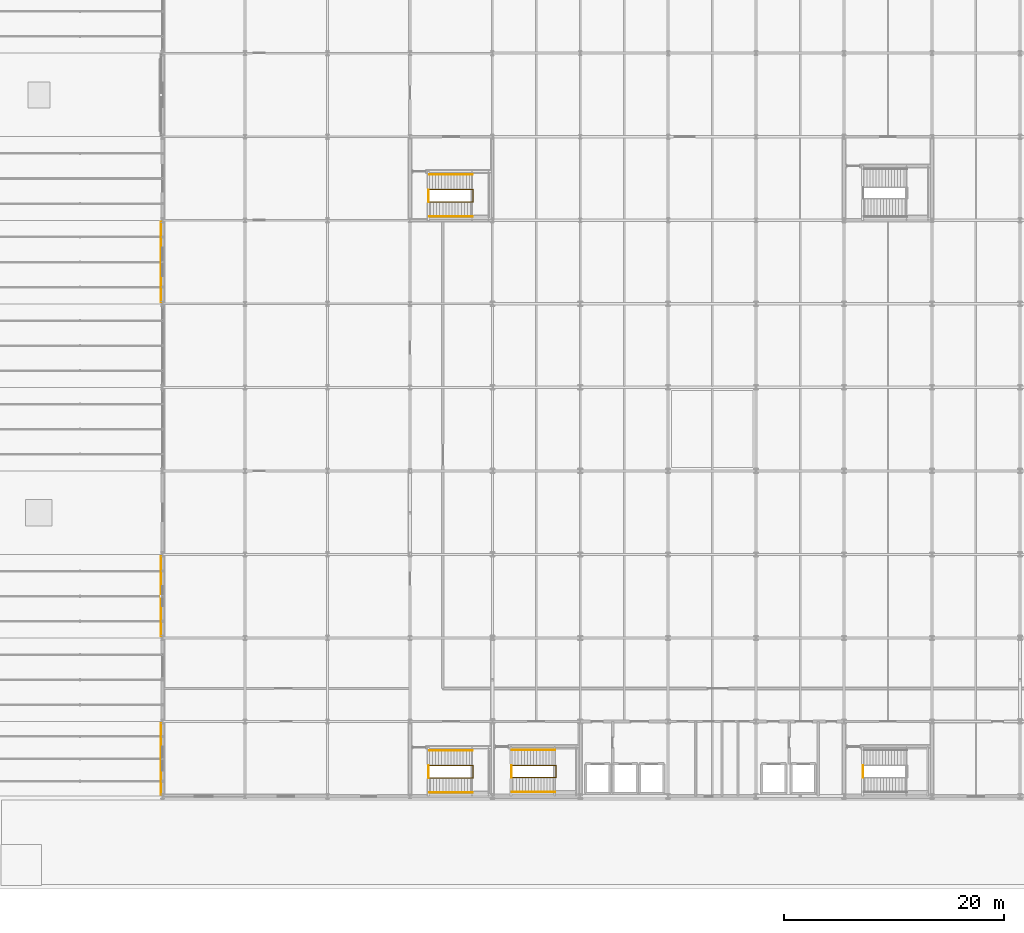
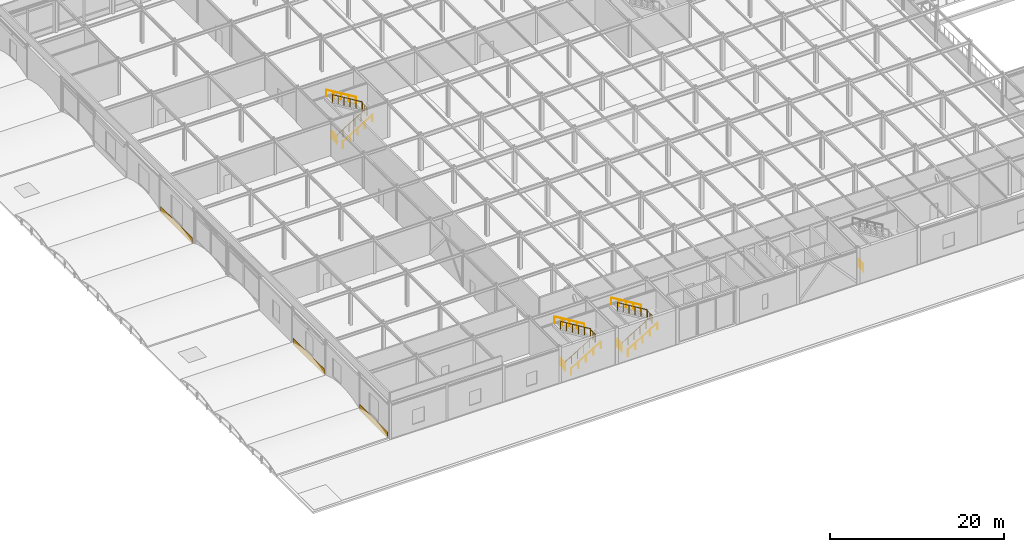
# One storey, part 108 of 113: 13 railings, 3 coverings.
"""IFC4 building model written with IfcOpenShell, lengths in metres."""

from ifc_helpers import new_model, si_unit, direction, frame, origin, origin_2d, place, context, subcontext, project, spatial, rectangle, circle, extrude, material, layer, layer_set, type_object, element, save


model = new_model("IFC4")

# Units and contexts
model_context = context("Model", 3, precision=1e-05, world=origin(), true_north=direction((0.0, 1.0)))
body_context = subcontext(model_context, "Body", "Model", "MODEL_VIEW")
ifc_project = project(units=[si_unit("LENGTHUNIT", "METRE"), si_unit("AREAUNIT", "SQUARE_METRE"), si_unit("VOLUMEUNIT", "CUBIC_METRE"), si_unit("PLANEANGLEUNIT", "RADIAN"), si_unit("MASSUNIT", "GRAM", prefix="KILO")], contexts=[model_context])

# Site, building, storey
site_placement = place(None, origin())
site = spatial("IfcSite", under=ifc_project, at=site_placement, CompositionType="ELEMENT")
building_placement = place(site_placement, origin())
building = spatial("IfcBuilding", under=site, at=building_placement, Name="Shalkamar Park Central Library", CompositionType="ELEMENT")
storey_placement = place(building_placement, frame((0.0, 0.0, 5.39990234375)))
storey = spatial("IfcBuildingStorey", under=building, at=storey_placement, Name="L02", CompositionType="ELEMENT", Elevation=5.39990234375)

# Coverings
ifc_material_1 = material(Name="Granite and travertine stone cladding", Category="masonry")
ifc_layer = layer(ifc_material_1, 0.0400390625)
ifc_layer_set = layer_set([ifc_layer], Name="GraniteTravertineCladdingPanel")
covering_type = type_object("IfcCoveringType", Name="Granite Travertine Cladding Panel", PredefinedType="CLADDING", material=ifc_layer_set)
covering_placement = place(storey_placement, frame((134.839111328125, 251.800048828125, 0.0), z_axis=(0.0, 0.0, 1.0), x_axis=(1.0, 0.0, 0.0)))
element("IfcCovering", 1, at=covering_placement, inside=storey, type_object=covering_type, Name="Granite and Travertine Cladding Panel L02-010", PredefinedType="CLADDING", context=body_context, shape_type="SweptSolid", body=[
    extrude(rectangle(XDim=0.0400390625, YDim=6.488037109375, at=origin_2d()), origin(), (0.0, 0.0, 1.0), 0.85009765625),
])
for number, where, z_axis, x_axis, name in (
    (2, (134.839111328125, 266.60009765625, 0.0), (0.0, 0.0, 1.0), (1.0, 0.0, 0.0), "Granite and Travertine Cladding Panel L02-011"),
    (3, (134.839111328125, 297.0, 0.0), (0.0, 0.0, 1.0), (1.0, 0.0, 0.0), "Granite and Travertine Cladding Panel L02-012"),
):
    element("IfcCovering", number, at=place(storey_placement, frame(where, z_axis=z_axis, x_axis=x_axis)), inside=storey, type_object=covering_type, Name=name, PredefinedType="CLADDING", context=body_context, shape_type="SweptSolid", body=[
        extrude(rectangle(XDim=0.0400390625, YDim=7.2880859375, at=origin_2d()), origin(), (0.0, 0.0, 1.0), 0.85009765625),
    ])

# Railings
ifc_material_2 = material(Name="Steel S355", Category="steel")
railing_type_1 = type_object("IfcRailingType", Name="Stair Guardrail 1100", PredefinedType="GUARDRAIL", material=ifc_material_2)
railing_1_placement = place(storey_placement, frame((166.800048828125, 250.090087890625, 0.170166015625)))
element("IfcRailing", 4, at=railing_1_placement, inside=storey, type_object=railing_type_1, Name="Stair Inner Well Guardrail ST-T1-L02", PredefinedType="GUARDRAIL", context=body_context, shape_type="SweptSolid", body=[
    extrude(circle(Radius=0.02392578125, at=origin_2d()), frame((0.0, 0.0, 1.076171875), z_axis=(0.854794262968, 0.0, 0.518967020143), x_axis=(0.0, 1.0, 0.0)), (0.0, 0.0, 1.0), 4.585693359375),
    extrude(circle(Radius=0.02392578125, at=origin_2d()), frame((3.919921875, 0.0, 3.4560546875), z_axis=(1.0, 0.0, 0.0), x_axis=(0.0, 1.0, 0.0)), (0.0, 0.0, 1.0), 0.06005859375),
    extrude(circle(Radius=0.02392578125, at=origin_2d()), frame((3.97998046875, 0.0, 3.4560546875), z_axis=(0.0, 1.0, 0.0), x_axis=(-1.0, 0.0, 0.0)), (0.0, 0.0, 1.0), 1.119873046875),
    extrude(circle(Radius=0.02392578125, at=origin_2d()), frame((3.97998046875, 1.119873046875, 3.4560546875), z_axis=(-0.332820117735, 0.0, 0.942990333583), x_axis=(0.0, -1.0, 0.0)), (0.0, 0.0, 1.0), 0.180419921875),
    extrude(circle(Radius=0.02392578125, at=origin_2d()), frame((3.919921875, 1.119873046875, 3.6259765625), z_axis=(-0.854794262968, 0.0, 0.518967020143), x_axis=(0.0, -1.0, 0.0)), (0.0, 0.0, 1.0), 4.585693359375),
    extrude(circle(Radius=0.02099609375, at=origin_2d()), origin(), (0.0, 0.0, 1.0), 1.052001953125),
    extrude(circle(Radius=0.02099609375, at=origin_2d()), frame((0.783935546875, 0.0, 0.47607421875)), (0.0, 0.0, 1.0), 1.052001953125),
    extrude(circle(Radius=0.02099609375, at=origin_2d()), frame((1.56787109375, 0.0, 0.951904296875)), (0.0, 0.0, 1.0), 1.052001953125),
    extrude(circle(Radius=0.02099609375, at=origin_2d()), frame((2.35205078125, 0.0, 1.427978515625)), (0.0, 0.0, 1.0), 1.052001953125),
    extrude(circle(Radius=0.02099609375, at=origin_2d()), frame((3.135986328125, 0.0, 1.90380859375)), (0.0, 0.0, 1.0), 1.052001953125),
    extrude(circle(Radius=0.02099609375, at=origin_2d()), frame((3.919921875, 0.0, 2.3798828125)), (0.0, 0.0, 1.0), 1.052001953125),
    extrude(circle(Radius=0.02099609375, at=origin_2d()), frame((3.97998046875, 0.0, 2.3798828125)), (0.0, 0.0, 1.0), 1.052001953125),
    extrude(circle(Radius=0.02099609375, at=origin_2d()), frame((3.97998046875, 0.56005859375, 2.3798828125)), (0.0, 0.0, 1.0), 1.052001953125),
    extrude(circle(Radius=0.02099609375, at=origin_2d()), frame((3.97998046875, 1.119873046875, 2.3798828125)), (0.0, 0.0, 1.0), 1.052001953125),
    extrude(circle(Radius=0.02099609375, at=origin_2d()), frame((3.919921875, 1.119873046875, 2.550048828125)), (0.0, 0.0, 1.0), 1.052001953125),
    extrude(circle(Radius=0.02099609375, at=origin_2d()), frame((3.135986328125, 1.119873046875, 3.026123046875)), (0.0, 0.0, 1.0), 1.052001953125),
    extrude(circle(Radius=0.02099609375, at=origin_2d()), frame((2.35205078125, 1.119873046875, 3.501953125)), (0.0, 0.0, 1.0), 1.052001953125),
    extrude(circle(Radius=0.02099609375, at=origin_2d()), frame((1.56787109375, 1.119873046875, 3.97802734375)), (0.0, 0.0, 1.0), 1.052001953125),
    extrude(circle(Radius=0.02099609375, at=origin_2d()), frame((0.783935546875, 1.119873046875, 4.453857421875)), (0.0, 0.0, 1.0), 1.052001953125),
    extrude(circle(Radius=0.02099609375, at=origin_2d()), frame((0.0, 1.119873046875, 4.929931640625)), (0.0, 0.0, 1.0), 1.052001953125),
])
for number, where, name in (
    (5, (166.739990234375, 250.10009765625, 0.0), "Stair Arrival Well Guardrail ST-T1 (L02)"),
    (6, (198.739990234375, 250.10009765625, 0.0), "Stair Arrival Well Guardrail ST-T2 (L02)"),
):
    element("IfcRailing", number, at=place(storey_placement, frame(where)), inside=storey, type_object=railing_type_1, Name=name, PredefinedType="GUARDRAIL", context=body_context, shape_type="SweptSolid", body=[
        extrude(circle(Radius=0.02392578125, at=origin_2d()), frame((0.0, 0.0, 1.076171875), z_axis=(0.0, 1.0, 0.0), x_axis=(-1.0, 0.0, 0.0)), (0.0, 0.0, 1.0), 1.099853515625),
        extrude(circle(Radius=0.02099609375, at=origin_2d()), origin(), (0.0, 0.0, 1.0), 1.052001953125),
        extrude(circle(Radius=0.02099609375, at=origin_2d()), frame((0.0, 0.5498046875, 0.0)), (0.0, 0.0, 1.0), 1.052001953125),
        extrude(circle(Radius=0.02099609375, at=origin_2d()), frame((0.0, 1.099853515625, 0.0)), (0.0, 0.0, 1.0), 1.052001953125),
    ])
railing_2_placement = place(storey_placement, frame((159.27490234375, 250.06494140625, 0.170166015625)))
element("IfcRailing", 7, at=railing_2_placement, inside=storey, type_object=railing_type_1, Name="Stair Inner Well Guardrail ST-P1-L02", PredefinedType="GUARDRAIL", context=body_context, shape_type="SweptSolid", body=[
    extrude(circle(Radius=0.02392578125, at=origin_2d()), frame((0.0, 0.0, 1.076171875), z_axis=(0.854808600491, 0.0, 0.518943403973), x_axis=(0.0, 1.0, 0.0)), (0.0, 0.0, 1.0), 4.5859375),
    extrude(circle(Radius=0.02392578125, at=origin_2d()), frame((3.920166015625, 0.0, 3.4560546875), z_axis=(1.0, 0.0, 0.0), x_axis=(0.0, 1.0, 0.0)), (0.0, 0.0, 1.0), 0.059814453125),
    extrude(circle(Radius=0.02392578125, at=origin_2d()), frame((3.97998046875, 0.0, 3.4560546875), z_axis=(0.0, 1.0, 0.0), x_axis=(-1.0, 0.0, 0.0)), (0.0, 0.0, 1.0), 1.1201171875),
    extrude(circle(Radius=0.02392578125, at=origin_2d()), frame((3.97998046875, 1.1201171875, 3.4560546875), z_axis=(-0.331616241061, 0.0, 0.943414367425), x_axis=(0.0, -1.0, 0.0)), (0.0, 0.0, 1.0), 0.180419921875),
    extrude(circle(Radius=0.02392578125, at=origin_2d()), frame((3.920166015625, 1.1201171875, 3.6259765625), z_axis=(-0.854808600491, 0.0, 0.518943403973), x_axis=(0.0, -1.0, 0.0)), (0.0, 0.0, 1.0), 4.5859375),
    extrude(circle(Radius=0.02099609375, at=origin_2d()), origin(), (0.0, 0.0, 1.0), 1.052001953125),
    extrude(circle(Radius=0.02099609375, at=origin_2d()), frame((0.783935546875, 0.0, 0.47607421875)), (0.0, 0.0, 1.0), 1.052001953125),
    extrude(circle(Radius=0.02099609375, at=origin_2d()), frame((1.568115234375, 0.0, 0.951904296875)), (0.0, 0.0, 1.0), 1.052001953125),
    extrude(circle(Radius=0.02099609375, at=origin_2d()), frame((2.35205078125, 0.0, 1.427978515625)), (0.0, 0.0, 1.0), 1.052001953125),
    extrude(circle(Radius=0.02099609375, at=origin_2d()), frame((3.13623046875, 0.0, 1.90380859375)), (0.0, 0.0, 1.0), 1.052001953125),
    extrude(circle(Radius=0.02099609375, at=origin_2d()), frame((3.920166015625, 0.0, 2.3798828125)), (0.0, 0.0, 1.0), 1.052001953125),
    extrude(circle(Radius=0.02099609375, at=origin_2d()), frame((3.97998046875, 0.0, 2.3798828125)), (0.0, 0.0, 1.0), 1.052001953125),
    extrude(circle(Radius=0.02099609375, at=origin_2d()), frame((3.97998046875, 0.56005859375, 2.3798828125)), (0.0, 0.0, 1.0), 1.052001953125),
    extrude(circle(Radius=0.02099609375, at=origin_2d()), frame((3.97998046875, 1.1201171875, 2.3798828125)), (0.0, 0.0, 1.0), 1.052001953125),
    extrude(circle(Radius=0.02099609375, at=origin_2d()), frame((3.920166015625, 1.1201171875, 2.550048828125)), (0.0, 0.0, 1.0), 1.052001953125),
    extrude(circle(Radius=0.02099609375, at=origin_2d()), frame((3.13623046875, 1.1201171875, 3.026123046875)), (0.0, 0.0, 1.0), 1.052001953125),
    extrude(circle(Radius=0.02099609375, at=origin_2d()), frame((2.35205078125, 1.1201171875, 3.501953125)), (0.0, 0.0, 1.0), 1.052001953125),
    extrude(circle(Radius=0.02099609375, at=origin_2d()), frame((1.568115234375, 1.1201171875, 3.97802734375)), (0.0, 0.0, 1.0), 1.052001953125),
    extrude(circle(Radius=0.02099609375, at=origin_2d()), frame((0.783935546875, 1.1201171875, 4.453857421875)), (0.0, 0.0, 1.0), 1.052001953125),
    extrude(circle(Radius=0.02099609375, at=origin_2d()), frame((0.0, 1.1201171875, 4.929931640625)), (0.0, 0.0, 1.0), 1.052001953125),
])
railing_3_placement = place(storey_placement, frame((159.215087890625, 250.074951171875, 0.0)))
element("IfcRailing", 8, at=railing_3_placement, inside=storey, type_object=railing_type_1, Name="Stair Arrival Well Guardrail ST-P1 (L02)", PredefinedType="GUARDRAIL", context=body_context, shape_type="SweptSolid", body=[
    extrude(circle(Radius=0.02392578125, at=origin_2d()), frame((0.0, 0.0, 1.076171875), z_axis=(0.0, 1.0, 0.0), x_axis=(-1.0, 0.0, 0.0)), (0.0, 0.0, 1.0), 1.10009765625),
    extrude(circle(Radius=0.02099609375, at=origin_2d()), origin(), (0.0, 0.0, 1.0), 1.052001953125),
    extrude(circle(Radius=0.02099609375, at=origin_2d()), frame((0.0, 0.550048828125, 0.0)), (0.0, 0.0, 1.0), 1.052001953125),
    extrude(circle(Radius=0.02099609375, at=origin_2d()), frame((0.0, 1.10009765625, 0.0)), (0.0, 0.0, 1.0), 1.052001953125),
])
railing_4_placement = place(storey_placement, frame((159.27490234375, 302.465087890625, 0.170166015625)))
element("IfcRailing", 9, at=railing_4_placement, inside=storey, type_object=railing_type_1, Name="Stair Inner Well Guardrail ST-P2-L02", PredefinedType="GUARDRAIL", context=body_context, shape_type="SweptSolid", body=[
    extrude(circle(Radius=0.02392578125, at=origin_2d()), frame((0.0, 0.0, 1.076171875), z_axis=(0.854808600491, 0.0, 0.518943403973), x_axis=(0.0, 1.0, 0.0)), (0.0, 0.0, 1.0), 4.5859375),
    extrude(circle(Radius=0.02392578125, at=origin_2d()), frame((3.920166015625, 0.0, 3.4560546875), z_axis=(1.0, 0.0, 0.0), x_axis=(0.0, 1.0, 0.0)), (0.0, 0.0, 1.0), 0.059814453125),
    extrude(circle(Radius=0.02392578125, at=origin_2d()), frame((3.97998046875, 0.0, 3.4560546875), z_axis=(0.0, 1.0, 0.0), x_axis=(-1.0, 0.0, 0.0)), (0.0, 0.0, 1.0), 1.119873046875),
    extrude(circle(Radius=0.02392578125, at=origin_2d()), frame((3.97998046875, 1.119873046875, 3.4560546875), z_axis=(-0.331616241061, 0.0, 0.943414367425), x_axis=(0.0, -1.0, 0.0)), (0.0, 0.0, 1.0), 0.180419921875),
    extrude(circle(Radius=0.02392578125, at=origin_2d()), frame((3.920166015625, 1.119873046875, 3.6259765625), z_axis=(-0.854808600491, 0.0, 0.518943403973), x_axis=(0.0, -1.0, 0.0)), (0.0, 0.0, 1.0), 4.5859375),
    extrude(circle(Radius=0.02099609375, at=origin_2d()), origin(), (0.0, 0.0, 1.0), 1.052001953125),
    extrude(circle(Radius=0.02099609375, at=origin_2d()), frame((0.783935546875, 0.0, 0.47607421875)), (0.0, 0.0, 1.0), 1.052001953125),
    extrude(circle(Radius=0.02099609375, at=origin_2d()), frame((1.568115234375, 0.0, 0.951904296875)), (0.0, 0.0, 1.0), 1.052001953125),
    extrude(circle(Radius=0.02099609375, at=origin_2d()), frame((2.35205078125, 0.0, 1.427978515625)), (0.0, 0.0, 1.0), 1.052001953125),
    extrude(circle(Radius=0.02099609375, at=origin_2d()), frame((3.13623046875, 0.0, 1.90380859375)), (0.0, 0.0, 1.0), 1.052001953125),
    extrude(circle(Radius=0.02099609375, at=origin_2d()), frame((3.920166015625, 0.0, 2.3798828125)), (0.0, 0.0, 1.0), 1.052001953125),
    extrude(circle(Radius=0.02099609375, at=origin_2d()), frame((3.97998046875, 0.0, 2.3798828125)), (0.0, 0.0, 1.0), 1.052001953125),
    extrude(circle(Radius=0.02099609375, at=origin_2d()), frame((3.97998046875, 0.56005859375, 2.3798828125)), (0.0, 0.0, 1.0), 1.052001953125),
    extrude(circle(Radius=0.02099609375, at=origin_2d()), frame((3.97998046875, 1.119873046875, 2.3798828125)), (0.0, 0.0, 1.0), 1.052001953125),
    extrude(circle(Radius=0.02099609375, at=origin_2d()), frame((3.920166015625, 1.119873046875, 2.550048828125)), (0.0, 0.0, 1.0), 1.052001953125),
    extrude(circle(Radius=0.02099609375, at=origin_2d()), frame((3.13623046875, 1.119873046875, 3.026123046875)), (0.0, 0.0, 1.0), 1.052001953125),
    extrude(circle(Radius=0.02099609375, at=origin_2d()), frame((2.35205078125, 1.119873046875, 3.501953125)), (0.0, 0.0, 1.0), 1.052001953125),
    extrude(circle(Radius=0.02099609375, at=origin_2d()), frame((1.568115234375, 1.119873046875, 3.97802734375)), (0.0, 0.0, 1.0), 1.052001953125),
    extrude(circle(Radius=0.02099609375, at=origin_2d()), frame((0.783935546875, 1.119873046875, 4.453857421875)), (0.0, 0.0, 1.0), 1.052001953125),
    extrude(circle(Radius=0.02099609375, at=origin_2d()), frame((0.0, 1.119873046875, 4.929931640625)), (0.0, 0.0, 1.0), 1.052001953125),
])
railing_5_placement = place(storey_placement, frame((159.215087890625, 302.47509765625, 0.0)))
element("IfcRailing", 10, at=railing_5_placement, inside=storey, type_object=railing_type_1, Name="Stair Arrival Well Guardrail ST-P2 (L02)", PredefinedType="GUARDRAIL", context=body_context, shape_type="SweptSolid", body=[
    extrude(circle(Radius=0.02392578125, at=origin_2d()), frame((0.0, 0.0, 1.076171875), z_axis=(0.0, 1.0, 0.0), x_axis=(-1.0, 0.0, 0.0)), (0.0, 0.0, 1.0), 1.099853515625),
    extrude(circle(Radius=0.02099609375, at=origin_2d()), origin(), (0.0, 0.0, 1.0), 1.052001953125),
    extrude(circle(Radius=0.02099609375, at=origin_2d()), frame((0.0, 0.5498046875, 0.0)), (0.0, 0.0, 1.0), 1.052001953125),
    extrude(circle(Radius=0.02099609375, at=origin_2d()), frame((0.0, 1.099853515625, 0.0)), (0.0, 0.0, 1.0), 1.052001953125),
])
railing_type_2 = type_object("IfcRailingType", Name="Stair Pitched Handrail 920", PredefinedType="HANDRAIL", material=ifc_material_2)
railing_6_placement = place(storey_placement, frame((166.800048828125, 248.780029296875, 0.170166015625)))
element("IfcRailing", 11, at=railing_6_placement, inside=storey, type_object=railing_type_2, Name="Stair Wall Handrail ST-T1-L02 Flight 1", PredefinedType="HANDRAIL", context=body_context, shape_type="SweptSolid", body=[
    extrude(circle(Radius=0.02392578125, at=origin_2d()), frame((0.0, 0.0, 0.89599609375), z_axis=(0.854794262968, 0.0, 0.518967020143), x_axis=(0.0, 1.0, 0.0)), (0.0, 0.0, 1.0), 4.585693359375),
    extrude(circle(Radius=0.02099609375, at=origin_2d()), origin(), (0.0, 0.0, 1.0), 0.871826171875),
    extrude(circle(Radius=0.02099609375, at=origin_2d()), frame((0.97998046875, 0.0, 0.594970703125)), (0.0, 0.0, 1.0), 0.871826171875),
    extrude(circle(Radius=0.02099609375, at=origin_2d()), frame((1.9599609375, 0.0, 1.18994140625)), (0.0, 0.0, 1.0), 0.871826171875),
    extrude(circle(Radius=0.02099609375, at=origin_2d()), frame((2.93994140625, 0.0, 1.784912109375)), (0.0, 0.0, 1.0), 0.871826171875),
    extrude(circle(Radius=0.02099609375, at=origin_2d()), frame((3.919921875, 0.0, 2.3798828125)), (0.0, 0.0, 1.0), 0.871826171875),
])
railing_7_placement = place(storey_placement, frame((170.719970703125, 252.60009765625, 2.72021484375)))
element("IfcRailing", 12, at=railing_7_placement, inside=storey, type_object=railing_type_2, Name="Stair Wall Handrail ST-T1-L02 Flight 2", PredefinedType="HANDRAIL", context=body_context, shape_type="SweptSolid", body=[
    extrude(circle(Radius=0.02392578125, at=origin_2d()), frame((0.0, 0.0, 0.89599609375), z_axis=(-0.854794262968, 0.0, 0.518967020143), x_axis=(0.0, -1.0, 0.0)), (0.0, 0.0, 1.0), 4.585693359375),
    extrude(circle(Radius=0.02099609375, at=origin_2d()), origin(), (0.0, 0.0, 1.0), 0.871826171875),
    extrude(circle(Radius=0.02099609375, at=origin_2d()), frame((-0.97998046875, 0.0, 0.594970703125)), (0.0, 0.0, 1.0), 0.871826171875),
    extrude(circle(Radius=0.02099609375, at=origin_2d()), frame((-1.9599609375, 0.0, 1.18994140625)), (0.0, 0.0, 1.0), 0.871826171875),
    extrude(circle(Radius=0.02099609375, at=origin_2d()), frame((-2.93994140625, 0.0, 1.784912109375)), (0.0, 0.0, 1.0), 0.871826171875),
    extrude(circle(Radius=0.02099609375, at=origin_2d()), frame((-3.919921875, 0.0, 2.3798828125)), (0.0, 0.0, 1.0), 0.871826171875),
])
railing_8_placement = place(storey_placement, frame((159.27490234375, 248.7548828125, 0.170166015625)))
element("IfcRailing", 13, at=railing_8_placement, inside=storey, type_object=railing_type_2, Name="Stair Wall Handrail ST-P1-L02 Flight 1", PredefinedType="HANDRAIL", context=body_context, shape_type="SweptSolid", body=[
    extrude(circle(Radius=0.02392578125, at=origin_2d()), frame((0.0, 0.0, 0.89599609375), z_axis=(0.854808600491, 0.0, 0.518943403973), x_axis=(0.0, 1.0, 0.0)), (0.0, 0.0, 1.0), 4.5859375),
    extrude(circle(Radius=0.02099609375, at=origin_2d()), origin(), (0.0, 0.0, 1.0), 0.871826171875),
    extrude(circle(Radius=0.02099609375, at=origin_2d()), frame((0.97998046875, 0.0, 0.594970703125)), (0.0, 0.0, 1.0), 0.871826171875),
    extrude(circle(Radius=0.02099609375, at=origin_2d()), frame((1.9599609375, 0.0, 1.18994140625)), (0.0, 0.0, 1.0), 0.871826171875),
    extrude(circle(Radius=0.02099609375, at=origin_2d()), frame((2.940185546875, 0.0, 1.784912109375)), (0.0, 0.0, 1.0), 0.871826171875),
    extrude(circle(Radius=0.02099609375, at=origin_2d()), frame((3.920166015625, 0.0, 2.3798828125)), (0.0, 0.0, 1.0), 0.871826171875),
])
railing_9_placement = place(storey_placement, frame((163.195068359375, 252.574951171875, 2.72021484375)))
element("IfcRailing", 14, at=railing_9_placement, inside=storey, type_object=railing_type_2, Name="Stair Wall Handrail ST-P1-L02 Flight 2", PredefinedType="HANDRAIL", context=body_context, shape_type="SweptSolid", body=[
    extrude(circle(Radius=0.02392578125, at=origin_2d()), frame((0.0, 0.0, 0.89599609375), z_axis=(-0.854808600491, 0.0, 0.518943403973), x_axis=(0.0, -1.0, 0.0)), (0.0, 0.0, 1.0), 4.5859375),
    extrude(circle(Radius=0.02099609375, at=origin_2d()), origin(), (0.0, 0.0, 1.0), 0.871826171875),
    extrude(circle(Radius=0.02099609375, at=origin_2d()), frame((-0.97998046875, 0.0, 0.594970703125)), (0.0, 0.0, 1.0), 0.871826171875),
    extrude(circle(Radius=0.02099609375, at=origin_2d()), frame((-1.9599609375, 0.0, 1.18994140625)), (0.0, 0.0, 1.0), 0.871826171875),
    extrude(circle(Radius=0.02099609375, at=origin_2d()), frame((-2.940185546875, 0.0, 1.784912109375)), (0.0, 0.0, 1.0), 0.871826171875),
    extrude(circle(Radius=0.02099609375, at=origin_2d()), frame((-3.920166015625, 0.0, 2.3798828125)), (0.0, 0.0, 1.0), 0.871826171875),
])
railing_10_placement = place(storey_placement, frame((159.27490234375, 301.155029296875, 0.170166015625)))
element("IfcRailing", 15, at=railing_10_placement, inside=storey, type_object=railing_type_2, Name="Stair Wall Handrail ST-P2-L02 Flight 1", PredefinedType="HANDRAIL", context=body_context, shape_type="SweptSolid", body=[
    extrude(circle(Radius=0.02392578125, at=origin_2d()), frame((0.0, 0.0, 0.89599609375), z_axis=(0.854808600491, 0.0, 0.518943403973), x_axis=(0.0, 1.0, 0.0)), (0.0, 0.0, 1.0), 4.5859375),
    extrude(circle(Radius=0.02099609375, at=origin_2d()), origin(), (0.0, 0.0, 1.0), 0.871826171875),
    extrude(circle(Radius=0.02099609375, at=origin_2d()), frame((0.97998046875, 0.0, 0.594970703125)), (0.0, 0.0, 1.0), 0.871826171875),
    extrude(circle(Radius=0.02099609375, at=origin_2d()), frame((1.9599609375, 0.0, 1.18994140625)), (0.0, 0.0, 1.0), 0.871826171875),
    extrude(circle(Radius=0.02099609375, at=origin_2d()), frame((2.940185546875, 0.0, 1.784912109375)), (0.0, 0.0, 1.0), 0.871826171875),
    extrude(circle(Radius=0.02099609375, at=origin_2d()), frame((3.920166015625, 0.0, 2.3798828125)), (0.0, 0.0, 1.0), 0.871826171875),
])
railing_11_placement = place(storey_placement, frame((163.195068359375, 304.97509765625, 2.72021484375)))
element("IfcRailing", 16, at=railing_11_placement, inside=storey, type_object=railing_type_2, Name="Stair Wall Handrail ST-P2-L02 Flight 2", PredefinedType="HANDRAIL", context=body_context, shape_type="SweptSolid", body=[
    extrude(circle(Radius=0.02392578125, at=origin_2d()), frame((0.0, 0.0, 0.89599609375), z_axis=(-0.854808600491, 0.0, 0.518943403973), x_axis=(0.0, -1.0, 0.0)), (0.0, 0.0, 1.0), 4.5859375),
    extrude(circle(Radius=0.02099609375, at=origin_2d()), origin(), (0.0, 0.0, 1.0), 0.871826171875),
    extrude(circle(Radius=0.02099609375, at=origin_2d()), frame((-0.97998046875, 0.0, 0.594970703125)), (0.0, 0.0, 1.0), 0.871826171875),
    extrude(circle(Radius=0.02099609375, at=origin_2d()), frame((-1.9599609375, 0.0, 1.18994140625)), (0.0, 0.0, 1.0), 0.871826171875),
    extrude(circle(Radius=0.02099609375, at=origin_2d()), frame((-2.940185546875, 0.0, 1.784912109375)), (0.0, 0.0, 1.0), 0.871826171875),
    extrude(circle(Radius=0.02099609375, at=origin_2d()), frame((-3.920166015625, 0.0, 2.3798828125)), (0.0, 0.0, 1.0), 0.871826171875),
])

save(model, "model.ifc")
